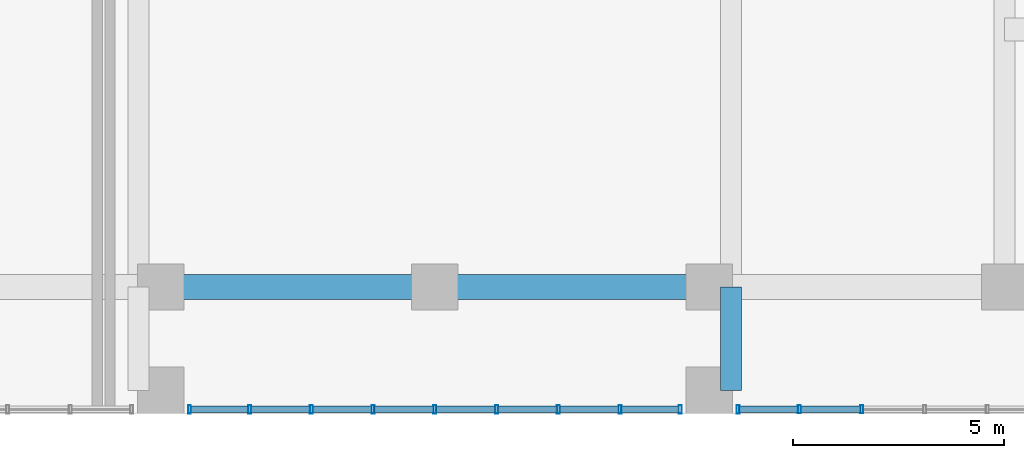
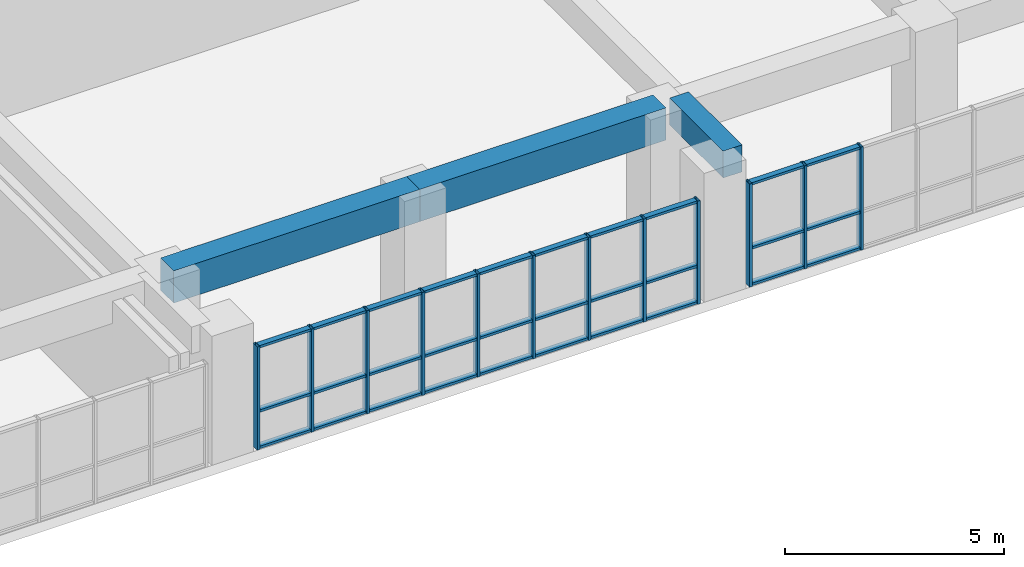
# One storey, part 6 of 30: 42 members, 3 beams, 2 elements without a shape of their own.
"""IFC4 building model written with IfcOpenShell, lengths in metres."""

import ifcopenshell
import ifcopenshell.guid

model = None  # the IFC model being written
_history = None  # IfcOwnerHistory: only IFC2X3 demands one
_inside = {}  # id of a spatial element -> (the spatial element, [elements in it])
_under = {}  # id of a project, library or spatial element -> (it, [spatial elements below it])
_declared = {}  # id of a project -> (the project, [libraries it declares])
_typed = {}  # id of a type object -> (the type object, [elements of that type])
_made_of = {}  # id of a material, layer set ... -> (it, [elements and type objects made of it])


def new_model(schema):
    """Start an empty IFC model of exactly this schema.

    Asked for "IFC4X3", IfcOpenShell would pick the latest addendum, in which some entities
    have other attributes; the version numbers below select the first issue.
    IFC2X3 requires an IfcOwnerHistory on every rooted entity: one is made here for all.
    """
    global model, _history
    if schema == "IFC4X3":
        model = ifcopenshell.file(schema_version=(4, 3, 0, 0))
    else:
        model = ifcopenshell.file(schema=schema)
    _inside.clear()
    _under.clear()
    _declared.clear()
    _typed.clear()
    _made_of.clear()
    _history = None
    if model.schema == "IFC2X3":
        org = make("IfcOrganization", Name="unknown")
        user = make(
            "IfcPersonAndOrganization",
            ThePerson=make("IfcPerson", FamilyName="unknown"),
            TheOrganization=org,
        )
        app = make(
            "IfcApplication",
            ApplicationDeveloper=org,
            Version="unknown",
            ApplicationFullName="unknown",
            ApplicationIdentifier="unknown",
        )
        _history = make(
            "IfcOwnerHistory",
            OwningUser=user,
            OwningApplication=app,
            ChangeAction="ADDED",
            CreationDate=0,
        )
    return model


def make(cls, **values):
    """One entity of the class cls with the attributes given. An attribute that is None is left unset."""
    return model.create_entity(
        cls, **{name: value for name, value in values.items() if value is not None}
    )


def rooted(cls, **values):
    """An entity with a GlobalId (a new one), such as an element, a storey or a relation."""
    return make(cls, GlobalId=ifcopenshell.guid.new(), OwnerHistory=_history, **values)


def si_unit(unit_type, name, prefix=None):
    """IfcSIUnit, for example si_unit("LENGTHUNIT", "METRE", prefix="MILLI")."""
    return make("IfcSIUnit", UnitType=unit_type, Prefix=prefix, Name=name)


def assignment(units):
    """IfcUnitAssignment: the units of a project."""
    return None if units is None else make("IfcUnitAssignment", Units=units)


def point(xyz):
    """IfcCartesianPoint."""
    return None if xyz is None else make("IfcCartesianPoint", Coordinates=xyz)


def direction(xyz):
    """IfcDirection."""
    return None if xyz is None else make("IfcDirection", DirectionRatios=xyz)


def frame(location, z_axis=None, x_axis=None):
    """IfcAxis2Placement3D, a coordinate frame: its origin and axes. An axis left out is left unset."""
    return make(
        "IfcAxis2Placement3D",
        Location=point(location),
        Axis=direction(z_axis),
        RefDirection=direction(x_axis),
    )


def frame_2d(location, x_axis=None):
    """IfcAxis2Placement2D, a coordinate frame in the plane: its origin and x axis."""
    return make(
        "IfcAxis2Placement2D", Location=point(location), RefDirection=direction(x_axis)
    )


def origin():
    """The frame at (0, 0, 0) with its axes left unset."""
    return frame((0.0, 0.0, 0.0))


def origin_2d():
    """The frame at (0, 0) in the plane with its x axis left unset."""
    return frame_2d((0.0, 0.0))


def place(relative_to, where):
    """IfcLocalPlacement: puts the frame where relative to a parent placement (None: the world)."""
    return make(
        "IfcLocalPlacement", PlacementRelTo=relative_to, RelativePlacement=where
    )


def context(
    kind, dimensions, precision=None, world=None, true_north=None, identifier=None
):
    """IfcGeometricRepresentationContext, for example the 3D "Model" context."""
    return make(
        "IfcGeometricRepresentationContext",
        ContextIdentifier=identifier,
        ContextType=kind,
        CoordinateSpaceDimension=dimensions,
        Precision=precision,
        WorldCoordinateSystem=world,
        TrueNorth=true_north,
    )


def subcontext(parent, identifier, kind, view, scale=None):
    """IfcGeometricRepresentationSubContext, for example "Body" below "Model"."""
    return make(
        "IfcGeometricRepresentationSubContext",
        ContextIdentifier=identifier,
        ContextType=kind,
        ParentContext=parent,
        TargetScale=scale,
        TargetView=view,
    )


def project(units=None, contexts=None):
    """IfcProject with its units and contexts."""
    return rooted(
        "IfcProject",
        Name="project",
        RepresentationContexts=contexts,
        UnitsInContext=assignment(units),
    )


def spatial(cls, under=None, at=None, **own):
    """A site, building, storey or space (cls), placed at a placement, below another one or the project."""
    s = rooted(cls, ObjectPlacement=at, **own)
    if under is not None:
        _under.setdefault(under.id(), (under, []))[1].append(s)
    return s


def profile(cls, at=None, kind="AREA", **sizes):
    """A parametric profile (cls). Its sizes go by their IFC names, for example OverallWidth=200.0."""
    return make(cls, ProfileType=kind, Position=at, **sizes)


def rectangle(**sizes):
    """IfcRectangleProfileDef."""
    return profile("IfcRectangleProfileDef", **sizes)


def hollow_rectangle(**sizes):
    """IfcRectangleHollowProfileDef."""
    return profile("IfcRectangleHollowProfileDef", **sizes)


def extrude(swept, where, along, depth):
    """IfcExtrudedAreaSolid: the profile swept, set in the frame where, extruded along a direction by depth."""
    return make(
        "IfcExtrudedAreaSolid",
        SweptArea=swept,
        Position=where,
        ExtrudedDirection=direction(along),
        Depth=depth,
    )


def shape(context_of_items, identifier, shape_type, items):
    """IfcShapeRepresentation: the items that make up one representation, for example the "Body"."""
    return make(
        "IfcShapeRepresentation",
        ContextOfItems=context_of_items,
        RepresentationIdentifier=identifier,
        RepresentationType=shape_type,
        Items=items,
    )


def source(mapping_origin, context_of_items, identifier, shape_type, items):
    """IfcRepresentationMap: a shape defined once, which mapped items show again and again."""
    return make(
        "IfcRepresentationMap",
        MappingOrigin=mapping_origin,
        MappedRepresentation=shape(context_of_items, identifier, shape_type, items),
    )


def transform(
    local_origin,
    x_axis=None,
    y_axis=None,
    z_axis=None,
    scale=None,
    scale2=None,
    scale3=None,
    uniform=True,
):
    """IfcCartesianTransformationOperator3D, or its non-uniform kind. x_axis, y_axis, z_axis: its Axis1, 2, 3."""
    if uniform:
        return make(
            "IfcCartesianTransformationOperator3D",
            Axis1=direction(x_axis),
            Axis2=direction(y_axis),
            LocalOrigin=point(local_origin),
            Scale=scale,
            Axis3=direction(z_axis),
        )
    return make(
        "IfcCartesianTransformationOperator3DnonUniform",
        Axis1=direction(x_axis),
        Axis2=direction(y_axis),
        LocalOrigin=point(local_origin),
        Scale=scale,
        Axis3=direction(z_axis),
        Scale2=scale2,
        Scale3=scale3,
    )


def mapped(mapping_source, mapping_target):
    """IfcMappedItem: shows the shape of a source again, moved by a transform."""
    return make(
        "IfcMappedItem", MappingSource=mapping_source, MappingTarget=mapping_target
    )


def material(Name=None, Category=None):
    """IfcMaterial."""
    return make("IfcMaterial", Name=Name, Category=Category)


def layer(
    of_material, thickness, ventilated=None, Name=None, Category=None, Priority=None
):
    """IfcMaterialLayer: one layer of a wall or slab, of a material (None: an air gap)."""
    return make(
        "IfcMaterialLayer",
        Material=of_material,
        LayerThickness=thickness,
        IsVentilated=ventilated,
        Name=Name,
        Category=Category,
        Priority=Priority,
    )


def layer_set(layers, Name=None):
    """IfcMaterialLayerSet."""
    return make("IfcMaterialLayerSet", MaterialLayers=layers, LayerSetName=Name)


def material_profile(
    of_material, cross_section, Name=None, Category=None, Priority=None
):
    """IfcMaterialProfile: a cross section and its material."""
    return make(
        "IfcMaterialProfile",
        Name=Name,
        Material=of_material,
        Profile=cross_section,
        Priority=Priority,
        Category=Category,
    )


def profile_set(profiles, Name=None, composite=None):
    """IfcMaterialProfileSet."""
    return make(
        "IfcMaterialProfileSet",
        Name=Name,
        MaterialProfiles=profiles,
        CompositeProfile=composite,
    )


def made_of(thing, what):
    """Note that an element or type object is made of a material, layer set ...; save() writes the relation."""
    if what is not None:
        _made_of.setdefault(what.id(), (what, []))[1].append(thing)
    return thing


def type_object(cls, material=None, **own):
    """A type object (cls), such as IfcWallType, which elements share."""
    return made_of(rooted(cls, **own), material)


def element(
    cls,
    number,
    at=None,
    inside=None,
    cuts=None,
    type_object=None,
    material=None,
    context=None,
    identifier="Body",
    shape_type=None,
    held_by="IfcProductDefinitionShape",
    body=None,
    shapes=None,
    **own,
):
    """One element of the class cls, such as IfcWall. Its Tag is "e" and its number.

    at: its placement. inside: the storey or other place that contains it. cuts: it is an
    opening in that element (IfcRelVoidsElement). A single representation is given by context,
    identifier, shape_type and body (its items); several are given by shapes. held_by: the class
    of the entity that holds the representations. save() writes the other relations.
    """
    e = rooted(cls, Tag="e%d" % number, ObjectPlacement=at, **own)
    if body is not None:
        shapes = [shape(context, identifier, shape_type, body)]
    if shapes is not None:
        e.Representation = make(held_by, Representations=shapes)
    if inside is not None:
        _inside.setdefault(inside.id(), (inside, []))[1].append(e)
    if cuts is not None:
        rooted(
            "IfcRelVoidsElement", RelatingBuildingElement=cuts, RelatedOpeningElement=e
        )
    if type_object is not None:
        _typed.setdefault(type_object.id(), (type_object, []))[1].append(e)
    return made_of(e, material)


def aggregate(whole, parts):
    """IfcRelAggregates: a whole, such as a stair, and the parts it consists of."""
    return rooted("IfcRelAggregates", RelatingObject=whole, RelatedObjects=parts)


def save(model, path):
    """Write the relations noted so far, then the file.

    IfcRelAggregates (storeys below a building ...), IfcRelContainedInSpatialStructure (elements
    in a storey), IfcRelDefinesByType, IfcRelAssociatesMaterial and IfcRelDeclares: one each for
    every whole, place, type object, material and project.
    """
    for whole, parts in _under.values():
        aggregate(whole, parts)
    for where, things in _inside.values():
        rooted(
            "IfcRelContainedInSpatialStructure",
            RelatedElements=things,
            RelatingStructure=where,
        )
    for kind, things in _typed.values():
        rooted("IfcRelDefinesByType", RelatedObjects=things, RelatingType=kind)
    for what, things in _made_of.values():
        rooted("IfcRelAssociatesMaterial", RelatedObjects=things, RelatingMaterial=what)
    for by, libraries in _declared.values():
        rooted("IfcRelDeclares", RelatingContext=by, RelatedDefinitions=libraries)
    model.write(path)


model = new_model("IFC4")

# Units and contexts
model_context = context("Model", 3, precision=1e-05, world=origin(), true_north=direction((0.0, 1.0)))
body_context = subcontext(model_context, "Body", "Model", "MODEL_VIEW")
ifc_project = project(units=[si_unit("LENGTHUNIT", "METRE"), si_unit("AREAUNIT", "SQUARE_METRE"), si_unit("VOLUMEUNIT", "CUBIC_METRE"), si_unit("PLANEANGLEUNIT", "RADIAN"), si_unit("MASSUNIT", "GRAM", prefix="KILO")], contexts=[model_context])

# Site, building, storey
site_placement = place(None, origin())
site = spatial("IfcSite", under=ifc_project, at=site_placement, CompositionType="ELEMENT")
building_placement = place(site_placement, origin())
building = spatial("IfcBuilding", under=site, at=building_placement, Name="Saelheon Loggia Tower", CompositionType="ELEMENT")
storey_placement = place(building_placement, frame((0.0, 0.0, 7.800048828125)))
storey = spatial("IfcBuildingStorey", under=building, at=storey_placement, Name="L02", CompositionType="ELEMENT", Elevation=7.800048828125)

# Beams
ifc_material_1 = material(Name="Concrete C50/60", Category="concrete")
ifc_material_profile_1 = material_profile(ifc_material_1, rectangle(XDim=0.60009765625, YDim=0.89990234375, at=origin_2d()), Name="RC-600x900")
ifc_profile_set_1 = profile_set([ifc_material_profile_1], Name="Concrete C50/60")
beam_type_1 = type_object("IfcBeamType", Name="Beam_MainGirder_RC600x900", PredefinedType="BEAM", material=ifc_profile_set_1)
shared_shape_1 = source(origin(), body_context, "Body", "SweptSolid", [
    extrude(rectangle(XDim=0.60009765625, YDim=0.89990234375, at=origin_2d()), origin(), (0.0, 0.0, 1.0), 6.5),
])
for number, where, z_axis, x_axis, name in (
    (1, (31.5, 3.0, 3.14990234375), (1.0, 0.0, 0.0), (0.0, 1.0, 0.0), "BM-L02-EW-3-4"),
    (2, (38.0, 3.0, 3.14990234375), (1.0, 0.0, 0.0), (0.0, 1.0, 0.0), "BM-L02-EW-3-5"),
):
    element("IfcBeam", number, at=place(storey_placement, frame(where, z_axis=z_axis, x_axis=x_axis)), inside=storey, type_object=beam_type_1, Name=name, PredefinedType="BEAM", context=body_context, shape_type="MappedRepresentation", body=[
        mapped(shared_shape_1, transform((0.0, 0.0, 0.0), scale=1.0)),
    ])
ifc_material_2 = material(Name="Concrete C45/55", Category="concrete")
ifc_material_profile_2 = material_profile(ifc_material_2, rectangle(XDim=0.5, YDim=0.75, at=origin_2d()), Name="RC-500x750")
ifc_profile_set_2 = profile_set([ifc_material_profile_2], Name="Concrete C45/55")
beam_type_2 = type_object("IfcBeamType", Name="Beam_FloorGirder_RC500x750", PredefinedType="BEAM", material=ifc_profile_set_2)
shared_shape_2 = source(origin(), body_context, "Body", "SweptSolid", [
    extrude(rectangle(XDim=0.5, YDim=0.75, at=origin_2d()), origin(), (0.0, 0.0, 1.0), 2.449951171875),
])
beam_placement = place(storey_placement, frame((45.02001953125, 0.550048828125, 3.224853515625), z_axis=(0.0, 1.0, 0.0), x_axis=(-1.0, 0.0, 0.0)))
element("IfcBeam", 3, at=beam_placement, inside=storey, type_object=beam_type_2, Name="BM-L02-NS-45-1", PredefinedType="BEAM", context=body_context, shape_type="MappedRepresentation", body=[
    mapped(shared_shape_2, transform((0.0, 0.0, 0.0), scale=1.0)),
])

# Curtain wall, members
ifc_material_3 = material(Name="Aluminium 6063-T6 and Low-E IGU", Category="aluminium")
ifc_layer = layer(ifc_material_3, 0.179931640625)
ifc_layer_set = layer_set([ifc_layer], Name="Aluminium 6063-T6 and Low-E IGU")
curtain_wall_type = type_object("IfcCurtainWallType", Name="CW_PodiumClinic", PredefinedType="NOTDEFINED", material=ifc_layer_set)
curtain_wall_1_placement = place(storey_placement, origin())
curtain_wall_1 = element("IfcCurtainWall", 4, at=curtain_wall_1_placement, inside=storey, type_object=curtain_wall_type, Name="L02 South Clinic Curtain Wall 3", PredefinedType="NOTDEFINED")
ifc_material_4 = material(Name="Anodised Aluminium 6063-T6", Category="aluminium")
ifc_material_profile_3 = material_profile(ifc_material_4, hollow_rectangle(XDim=0.070068359375, YDim=0.14990234375, WallThickness=0.0048828125, at=origin_2d()), Name="RHS-150x70x5")
ifc_profile_set_3 = profile_set([ifc_material_profile_3], Name="Anodised Aluminium 6063-T6")
member_type_1 = type_object("IfcMemberType", Name="CW_PodiumClinic_Transom", PredefinedType="USERDEFINED", material=ifc_profile_set_3)
shared_shape_3 = source(origin(), body_context, "Body", "SweptSolid", [
    extrude(hollow_rectangle(XDim=0.070068359375, YDim=0.14990234375, WallThickness=0.0048828125, at=origin_2d()), origin(), (0.0, 0.0, 1.0), 1.4150390625),
])
member_1_placement = place(storey_placement, frame((46.669921875, 0.10009765625, 0.034912109375), z_axis=(1.0, 0.0, 0.0), x_axis=(0.0, 0.0, 1.0)))
member_1 = element("IfcMember", 5, at=member_1_placement, type_object=member_type_1, Name="CW1 transom 2.1", ObjectType="TRANSOM", PredefinedType="USERDEFINED", context=body_context, shape_type="MappedRepresentation", body=[
    mapped(shared_shape_3, transform((0.0, 0.0, 0.0), scale=1.0)),
])
member_2_placement = place(storey_placement, frame((46.669921875, 0.10009765625, 1.050048828125), z_axis=(1.0, 0.0, 0.0), x_axis=(0.0, 0.0, 1.0)))
member_2 = element("IfcMember", 6, at=member_2_placement, type_object=member_type_1, Name="CW1 transom 2.2", ObjectType="TRANSOM", PredefinedType="USERDEFINED", context=body_context, shape_type="MappedRepresentation", body=[
    mapped(shared_shape_3, transform((0.0, 0.0, 0.0), scale=1.0)),
])
member_3_placement = place(storey_placement, frame((46.669921875, 0.10009765625, 2.844970703125), z_axis=(1.0, 0.0, 0.0), x_axis=(0.0, 0.0, 1.0)))
member_3 = element("IfcMember", 7, at=member_3_placement, type_object=member_type_1, Name="CW1 transom 2.3", ObjectType="TRANSOM", PredefinedType="USERDEFINED", context=body_context, shape_type="MappedRepresentation", body=[
    mapped(shared_shape_3, transform((0.0, 0.0, 0.0), scale=1.0)),
])
shared_shape_4 = source(origin(), body_context, "Body", "SweptSolid", [
    extrude(hollow_rectangle(XDim=0.070068359375, YDim=0.14990234375, WallThickness=0.0048828125, at=origin_2d()), origin(), (0.0, 0.0, 1.0), 1.380126953125),
])
member_4_placement = place(storey_placement, frame((45.219970703125, 0.10009765625, 0.034912109375), z_axis=(1.0, 0.0, 0.0), x_axis=(0.0, 0.0, 1.0)))
member_4 = element("IfcMember", 8, at=member_4_placement, type_object=member_type_1, Name="CW1 transom 1.1", ObjectType="TRANSOM", PredefinedType="USERDEFINED", context=body_context, shape_type="MappedRepresentation", body=[
    mapped(shared_shape_4, transform((0.0, 0.0, 0.0), scale=1.0)),
])
member_5_placement = place(storey_placement, frame((45.219970703125, 0.10009765625, 1.050048828125), z_axis=(1.0, 0.0, 0.0), x_axis=(0.0, 0.0, 1.0)))
member_5 = element("IfcMember", 9, at=member_5_placement, type_object=member_type_1, Name="CW1 transom 1.2", ObjectType="TRANSOM", PredefinedType="USERDEFINED", context=body_context, shape_type="MappedRepresentation", body=[
    mapped(shared_shape_4, transform((0.0, 0.0, 0.0), scale=1.0)),
])
member_6_placement = place(storey_placement, frame((45.219970703125, 0.10009765625, 2.844970703125), z_axis=(1.0, 0.0, 0.0), x_axis=(0.0, 0.0, 1.0)))
member_6 = element("IfcMember", 10, at=member_6_placement, type_object=member_type_1, Name="CW1 transom 1.3", ObjectType="TRANSOM", PredefinedType="USERDEFINED", context=body_context, shape_type="MappedRepresentation", body=[
    mapped(shared_shape_4, transform((0.0, 0.0, 0.0), scale=1.0)),
])

curtain_wall_2_placement = place(storey_placement, origin())
curtain_wall_2 = element("IfcCurtainWall", 11, at=curtain_wall_2_placement, inside=storey, type_object=curtain_wall_type, Name="L02 South Clinic Curtain Wall 2", PredefinedType="NOTDEFINED")
shared_shape_5 = source(origin(), body_context, "Body", "SweptSolid", [
    extrude(hollow_rectangle(XDim=0.070068359375, YDim=0.14990234375, WallThickness=0.0048828125, at=origin_2d()), origin(), (0.0, 0.0, 1.0), 1.357421875),
])
member_7_placement = place(storey_placement, frame((32.219970703125, 0.10009765625, 0.034912109375), z_axis=(1.0, 0.0, 0.0), x_axis=(0.0, 0.0, 1.0)))
member_7 = element("IfcMember", 12, at=member_7_placement, type_object=member_type_1, Name="CW1 transom 1.1", ObjectType="TRANSOM", PredefinedType="USERDEFINED", context=body_context, shape_type="MappedRepresentation", body=[
    mapped(shared_shape_5, transform((0.0, 0.0, 0.0), scale=1.0)),
])
member_8_placement = place(storey_placement, frame((32.219970703125, 0.10009765625, 1.050048828125), z_axis=(1.0, 0.0, 0.0), x_axis=(0.0, 0.0, 1.0)))
member_8 = element("IfcMember", 13, at=member_8_placement, type_object=member_type_1, Name="CW1 transom 1.2", ObjectType="TRANSOM", PredefinedType="USERDEFINED", context=body_context, shape_type="MappedRepresentation", body=[
    mapped(shared_shape_5, transform((0.0, 0.0, 0.0), scale=1.0)),
])
member_9_placement = place(storey_placement, frame((32.219970703125, 0.10009765625, 2.844970703125), z_axis=(1.0, 0.0, 0.0), x_axis=(0.0, 0.0, 1.0)))
member_9 = element("IfcMember", 14, at=member_9_placement, type_object=member_type_1, Name="CW1 transom 1.3", ObjectType="TRANSOM", PredefinedType="USERDEFINED", context=body_context, shape_type="MappedRepresentation", body=[
    mapped(shared_shape_5, transform((0.0, 0.0, 0.0), scale=1.0)),
])
member_10_placement = place(storey_placement, frame((42.422607421875, 0.10009765625, 0.034912109375), z_axis=(1.0, 0.0, 0.0), x_axis=(0.0, 0.0, 1.0)))
member_10 = element("IfcMember", 15, at=member_10_placement, type_object=member_type_1, Name="CW1 transom 8.1", ObjectType="TRANSOM", PredefinedType="USERDEFINED", context=body_context, shape_type="MappedRepresentation", body=[
    mapped(shared_shape_5, transform((0.0, 0.0, 0.0), scale=1.0)),
])
member_11_placement = place(storey_placement, frame((42.422607421875, 0.10009765625, 1.050048828125), z_axis=(1.0, 0.0, 0.0), x_axis=(0.0, 0.0, 1.0)))
member_11 = element("IfcMember", 16, at=member_11_placement, type_object=member_type_1, Name="CW1 transom 8.2", ObjectType="TRANSOM", PredefinedType="USERDEFINED", context=body_context, shape_type="MappedRepresentation", body=[
    mapped(shared_shape_5, transform((0.0, 0.0, 0.0), scale=1.0)),
])
member_12_placement = place(storey_placement, frame((42.422607421875, 0.10009765625, 2.844970703125), z_axis=(1.0, 0.0, 0.0), x_axis=(0.0, 0.0, 1.0)))
member_12 = element("IfcMember", 17, at=member_12_placement, type_object=member_type_1, Name="CW1 transom 8.3", ObjectType="TRANSOM", PredefinedType="USERDEFINED", context=body_context, shape_type="MappedRepresentation", body=[
    mapped(shared_shape_5, transform((0.0, 0.0, 0.0), scale=1.0)),
])
shared_shape_6 = source(origin(), body_context, "Body", "SweptSolid", [
    extrude(hollow_rectangle(XDim=0.070068359375, YDim=0.14990234375, WallThickness=0.0048828125, at=origin_2d()), origin(), (0.0, 0.0, 1.0), 1.392578125),
])
member_13_placement = place(storey_placement, frame((33.6474609375, 0.10009765625, 0.034912109375), z_axis=(1.0, 0.0, 0.0), x_axis=(0.0, 0.0, 1.0)))
member_13 = element("IfcMember", 18, at=member_13_placement, type_object=member_type_1, Name="CW1 transom 2.1", ObjectType="TRANSOM", PredefinedType="USERDEFINED", context=body_context, shape_type="MappedRepresentation", body=[
    mapped(shared_shape_6, transform((0.0, 0.0, 0.0), scale=1.0)),
])
member_14_placement = place(storey_placement, frame((33.6474609375, 0.10009765625, 1.050048828125), z_axis=(1.0, 0.0, 0.0), x_axis=(0.0, 0.0, 1.0)))
member_14 = element("IfcMember", 19, at=member_14_placement, type_object=member_type_1, Name="CW1 transom 2.2", ObjectType="TRANSOM", PredefinedType="USERDEFINED", context=body_context, shape_type="MappedRepresentation", body=[
    mapped(shared_shape_6, transform((0.0, 0.0, 0.0), scale=1.0)),
])
member_15_placement = place(storey_placement, frame((33.6474609375, 0.10009765625, 2.844970703125), z_axis=(1.0, 0.0, 0.0), x_axis=(0.0, 0.0, 1.0)))
member_15 = element("IfcMember", 20, at=member_15_placement, type_object=member_type_1, Name="CW1 transom 2.3", ObjectType="TRANSOM", PredefinedType="USERDEFINED", context=body_context, shape_type="MappedRepresentation", body=[
    mapped(shared_shape_6, transform((0.0, 0.0, 0.0), scale=1.0)),
])
member_16_placement = place(storey_placement, frame((36.572509765625, 0.10009765625, 0.034912109375), z_axis=(1.0, 0.0, 0.0), x_axis=(0.0, 0.0, 1.0)))
member_16 = element("IfcMember", 21, at=member_16_placement, type_object=member_type_1, Name="CW1 transom 4.1", ObjectType="TRANSOM", PredefinedType="USERDEFINED", context=body_context, shape_type="MappedRepresentation", body=[
    mapped(shared_shape_6, transform((0.0, 0.0, 0.0), scale=1.0)),
])
member_17_placement = place(storey_placement, frame((36.572509765625, 0.10009765625, 1.050048828125), z_axis=(1.0, 0.0, 0.0), x_axis=(0.0, 0.0, 1.0)))
member_17 = element("IfcMember", 22, at=member_17_placement, type_object=member_type_1, Name="CW1 transom 4.2", ObjectType="TRANSOM", PredefinedType="USERDEFINED", context=body_context, shape_type="MappedRepresentation", body=[
    mapped(shared_shape_6, transform((0.0, 0.0, 0.0), scale=1.0)),
])
member_18_placement = place(storey_placement, frame((36.572509765625, 0.10009765625, 2.844970703125), z_axis=(1.0, 0.0, 0.0), x_axis=(0.0, 0.0, 1.0)))
member_18 = element("IfcMember", 23, at=member_18_placement, type_object=member_type_1, Name="CW1 transom 4.3", ObjectType="TRANSOM", PredefinedType="USERDEFINED", context=body_context, shape_type="MappedRepresentation", body=[
    mapped(shared_shape_6, transform((0.0, 0.0, 0.0), scale=1.0)),
])
member_19_placement = place(storey_placement, frame((38.034912109375, 0.10009765625, 0.034912109375), z_axis=(1.0, 0.0, 0.0), x_axis=(0.0, 0.0, 1.0)))
member_19 = element("IfcMember", 24, at=member_19_placement, type_object=member_type_1, Name="CW1 transom 5.1", ObjectType="TRANSOM", PredefinedType="USERDEFINED", context=body_context, shape_type="MappedRepresentation", body=[
    mapped(shared_shape_6, transform((0.0, 0.0, 0.0), scale=1.0)),
])
member_20_placement = place(storey_placement, frame((38.034912109375, 0.10009765625, 1.050048828125), z_axis=(1.0, 0.0, 0.0), x_axis=(0.0, 0.0, 1.0)))
member_20 = element("IfcMember", 25, at=member_20_placement, type_object=member_type_1, Name="CW1 transom 5.2", ObjectType="TRANSOM", PredefinedType="USERDEFINED", context=body_context, shape_type="MappedRepresentation", body=[
    mapped(shared_shape_6, transform((0.0, 0.0, 0.0), scale=1.0)),
])
member_21_placement = place(storey_placement, frame((38.034912109375, 0.10009765625, 2.844970703125), z_axis=(1.0, 0.0, 0.0), x_axis=(0.0, 0.0, 1.0)))
member_21 = element("IfcMember", 26, at=member_21_placement, type_object=member_type_1, Name="CW1 transom 5.3", ObjectType="TRANSOM", PredefinedType="USERDEFINED", context=body_context, shape_type="MappedRepresentation", body=[
    mapped(shared_shape_6, transform((0.0, 0.0, 0.0), scale=1.0)),
])
member_22_placement = place(storey_placement, frame((40.9599609375, 0.10009765625, 0.034912109375), z_axis=(1.0, 0.0, 0.0), x_axis=(0.0, 0.0, 1.0)))
member_22 = element("IfcMember", 27, at=member_22_placement, type_object=member_type_1, Name="CW1 transom 7.1", ObjectType="TRANSOM", PredefinedType="USERDEFINED", context=body_context, shape_type="MappedRepresentation", body=[
    mapped(shared_shape_6, transform((0.0, 0.0, 0.0), scale=1.0)),
])
member_23_placement = place(storey_placement, frame((40.9599609375, 0.10009765625, 1.050048828125), z_axis=(1.0, 0.0, 0.0), x_axis=(0.0, 0.0, 1.0)))
member_23 = element("IfcMember", 28, at=member_23_placement, type_object=member_type_1, Name="CW1 transom 7.2", ObjectType="TRANSOM", PredefinedType="USERDEFINED", context=body_context, shape_type="MappedRepresentation", body=[
    mapped(shared_shape_6, transform((0.0, 0.0, 0.0), scale=1.0)),
])
member_24_placement = place(storey_placement, frame((40.9599609375, 0.10009765625, 2.844970703125), z_axis=(1.0, 0.0, 0.0), x_axis=(0.0, 0.0, 1.0)))
member_24 = element("IfcMember", 29, at=member_24_placement, type_object=member_type_1, Name="CW1 transom 7.3", ObjectType="TRANSOM", PredefinedType="USERDEFINED", context=body_context, shape_type="MappedRepresentation", body=[
    mapped(shared_shape_6, transform((0.0, 0.0, 0.0), scale=1.0)),
])
shared_shape_7 = source(origin(), body_context, "Body", "SweptSolid", [
    extrude(hollow_rectangle(XDim=0.070068359375, YDim=0.14990234375, WallThickness=0.0048828125, at=origin_2d()), origin(), (0.0, 0.0, 1.0), 1.392333984375),
])
member_25_placement = place(storey_placement, frame((35.110107421875, 0.10009765625, 0.034912109375), z_axis=(1.0, 0.0, 0.0), x_axis=(0.0, 0.0, 1.0)))
member_25 = element("IfcMember", 30, at=member_25_placement, type_object=member_type_1, Name="CW1 transom 3.1", ObjectType="TRANSOM", PredefinedType="USERDEFINED", context=body_context, shape_type="MappedRepresentation", body=[
    mapped(shared_shape_7, transform((0.0, 0.0, 0.0), scale=1.0)),
])
member_26_placement = place(storey_placement, frame((35.110107421875, 0.10009765625, 1.050048828125), z_axis=(1.0, 0.0, 0.0), x_axis=(0.0, 0.0, 1.0)))
member_26 = element("IfcMember", 31, at=member_26_placement, type_object=member_type_1, Name="CW1 transom 3.2", ObjectType="TRANSOM", PredefinedType="USERDEFINED", context=body_context, shape_type="MappedRepresentation", body=[
    mapped(shared_shape_7, transform((0.0, 0.0, 0.0), scale=1.0)),
])
member_27_placement = place(storey_placement, frame((35.110107421875, 0.10009765625, 2.844970703125), z_axis=(1.0, 0.0, 0.0), x_axis=(0.0, 0.0, 1.0)))
member_27 = element("IfcMember", 32, at=member_27_placement, type_object=member_type_1, Name="CW1 transom 3.3", ObjectType="TRANSOM", PredefinedType="USERDEFINED", context=body_context, shape_type="MappedRepresentation", body=[
    mapped(shared_shape_7, transform((0.0, 0.0, 0.0), scale=1.0)),
])
member_28_placement = place(storey_placement, frame((39.49755859375, 0.10009765625, 0.034912109375), z_axis=(1.0, 0.0, 0.0), x_axis=(0.0, 0.0, 1.0)))
member_28 = element("IfcMember", 33, at=member_28_placement, type_object=member_type_1, Name="CW1 transom 6.1", ObjectType="TRANSOM", PredefinedType="USERDEFINED", context=body_context, shape_type="MappedRepresentation", body=[
    mapped(shared_shape_7, transform((0.0, 0.0, 0.0), scale=1.0)),
])
member_29_placement = place(storey_placement, frame((39.49755859375, 0.10009765625, 1.050048828125), z_axis=(1.0, 0.0, 0.0), x_axis=(0.0, 0.0, 1.0)))
member_29 = element("IfcMember", 34, at=member_29_placement, type_object=member_type_1, Name="CW1 transom 6.2", ObjectType="TRANSOM", PredefinedType="USERDEFINED", context=body_context, shape_type="MappedRepresentation", body=[
    mapped(shared_shape_7, transform((0.0, 0.0, 0.0), scale=1.0)),
])
member_30_placement = place(storey_placement, frame((39.49755859375, 0.10009765625, 2.844970703125), z_axis=(1.0, 0.0, 0.0), x_axis=(0.0, 0.0, 1.0)))
member_30 = element("IfcMember", 35, at=member_30_placement, type_object=member_type_1, Name="CW1 transom 6.3", ObjectType="TRANSOM", PredefinedType="USERDEFINED", context=body_context, shape_type="MappedRepresentation", body=[
    mapped(shared_shape_7, transform((0.0, 0.0, 0.0), scale=1.0)),
])
ifc_material_profile_4 = material_profile(ifc_material_4, hollow_rectangle(XDim=0.070068359375, YDim=0.199951171875, WallThickness=0.0048828125, at=origin_2d()), Name="RHS-200x70x5")
ifc_profile_set_4 = profile_set([ifc_material_profile_4], Name="Anodised Aluminium 6063-T6")
member_type_2 = type_object("IfcMemberType", Name="CW_PodiumClinic_Mullion", PredefinedType="MULLION", material=ifc_profile_set_4)
shared_shape_8 = source(origin(), body_context, "Body", "SweptSolid", [
    extrude(hollow_rectangle(XDim=0.070068359375, YDim=0.199951171875, WallThickness=0.0048828125, at=origin_2d()), origin(), (0.0, 0.0, 1.0), 2.8798828125),
])
member_31_placement = place(storey_placement, frame((32.18505859375, 0.10009765625, 0.0), z_axis=(0.0, 0.0, 1.0), x_axis=(1.0, 0.0, 0.0)))
member_31 = element("IfcMember", 36, at=member_31_placement, type_object=member_type_2, Name="CW1 mullion 1", PredefinedType="MULLION", context=body_context, shape_type="MappedRepresentation", body=[
    mapped(shared_shape_8, transform((0.0, 0.0, 0.0), scale=1.0)),
])
member_32_placement = place(storey_placement, frame((33.612548828125, 0.10009765625, 0.0), z_axis=(0.0, 0.0, 1.0), x_axis=(1.0, 0.0, 0.0)))
member_32 = element("IfcMember", 37, at=member_32_placement, type_object=member_type_2, Name="CW1 mullion 2", PredefinedType="MULLION", context=body_context, shape_type="MappedRepresentation", body=[
    mapped(shared_shape_8, transform((0.0, 0.0, 0.0), scale=1.0)),
])
member_33_placement = place(storey_placement, frame((35.074951171875, 0.10009765625, 0.0), z_axis=(0.0, 0.0, 1.0), x_axis=(1.0, 0.0, 0.0)))
member_33 = element("IfcMember", 38, at=member_33_placement, type_object=member_type_2, Name="CW1 mullion 3", PredefinedType="MULLION", context=body_context, shape_type="MappedRepresentation", body=[
    mapped(shared_shape_8, transform((0.0, 0.0, 0.0), scale=1.0)),
])
member_34_placement = place(storey_placement, frame((36.53759765625, 0.10009765625, 0.0), z_axis=(0.0, 0.0, 1.0), x_axis=(1.0, 0.0, 0.0)))
member_34 = element("IfcMember", 39, at=member_34_placement, type_object=member_type_2, Name="CW1 mullion 4", PredefinedType="MULLION", context=body_context, shape_type="MappedRepresentation", body=[
    mapped(shared_shape_8, transform((0.0, 0.0, 0.0), scale=1.0)),
])
member_35_placement = place(storey_placement, frame((38.0, 0.10009765625, 0.0), z_axis=(0.0, 0.0, 1.0), x_axis=(1.0, 0.0, 0.0)))
member_35 = element("IfcMember", 40, at=member_35_placement, type_object=member_type_2, Name="CW1 mullion 5", PredefinedType="MULLION", context=body_context, shape_type="MappedRepresentation", body=[
    mapped(shared_shape_8, transform((0.0, 0.0, 0.0), scale=1.0)),
])
member_36_placement = place(storey_placement, frame((39.46240234375, 0.10009765625, 0.0), z_axis=(0.0, 0.0, 1.0), x_axis=(1.0, 0.0, 0.0)))
member_36 = element("IfcMember", 41, at=member_36_placement, type_object=member_type_2, Name="CW1 mullion 6", PredefinedType="MULLION", context=body_context, shape_type="MappedRepresentation", body=[
    mapped(shared_shape_8, transform((0.0, 0.0, 0.0), scale=1.0)),
])
member_37_placement = place(storey_placement, frame((40.925048828125, 0.10009765625, 0.0), z_axis=(0.0, 0.0, 1.0), x_axis=(1.0, 0.0, 0.0)))
member_37 = element("IfcMember", 42, at=member_37_placement, type_object=member_type_2, Name="CW1 mullion 7", PredefinedType="MULLION", context=body_context, shape_type="MappedRepresentation", body=[
    mapped(shared_shape_8, transform((0.0, 0.0, 0.0), scale=1.0)),
])
member_38_placement = place(storey_placement, frame((42.387451171875, 0.10009765625, 0.0), z_axis=(0.0, 0.0, 1.0), x_axis=(1.0, 0.0, 0.0)))
member_38 = element("IfcMember", 43, at=member_38_placement, type_object=member_type_2, Name="CW1 mullion 8", PredefinedType="MULLION", context=body_context, shape_type="MappedRepresentation", body=[
    mapped(shared_shape_8, transform((0.0, 0.0, 0.0), scale=1.0)),
])
member_39_placement = place(storey_placement, frame((43.81494140625, 0.10009765625, 0.0), z_axis=(0.0, 0.0, 1.0), x_axis=(1.0, 0.0, 0.0)))
member_39 = element("IfcMember", 44, at=member_39_placement, type_object=member_type_2, Name="CW1 mullion 9", PredefinedType="MULLION", context=body_context, shape_type="MappedRepresentation", body=[
    mapped(shared_shape_8, transform((0.0, 0.0, 0.0), scale=1.0)),
])
aggregate(curtain_wall_2, [member_31, member_32, member_33, member_34, member_35, member_36, member_37, member_38, member_39, member_7, member_8, member_9, member_13, member_14, member_15, member_25, member_26, member_27, member_16, member_17, member_18, member_19, member_20, member_21, member_28, member_29, member_30, member_22, member_23, member_24, member_10, member_11, member_12])

# Member
member_40_placement = place(storey_placement, frame((45.18505859375, 0.10009765625, 0.0), z_axis=(0.0, 0.0, 1.0), x_axis=(1.0, 0.0, 0.0)))
member_40 = element("IfcMember", 45, at=member_40_placement, type_object=member_type_2, Name="CW1 mullion 1", PredefinedType="MULLION", context=body_context, shape_type="MappedRepresentation", body=[
    mapped(shared_shape_8, transform((0.0, 0.0, 0.0), scale=1.0)),
])

member_41_placement = place(storey_placement, frame((46.635009765625, 0.10009765625, 0.0), z_axis=(0.0, 0.0, 1.0), x_axis=(1.0, 0.0, 0.0)))
member_41 = element("IfcMember", 46, at=member_41_placement, type_object=member_type_2, Name="CW1 mullion 2", PredefinedType="MULLION", context=body_context, shape_type="MappedRepresentation", body=[
    mapped(shared_shape_8, transform((0.0, 0.0, 0.0), scale=1.0)),
])

member_42_placement = place(storey_placement, frame((48.1201171875, 0.10009765625, 0.0), z_axis=(0.0, 0.0, 1.0), x_axis=(1.0, 0.0, 0.0)))
member_42 = element("IfcMember", 47, at=member_42_placement, type_object=member_type_2, Name="CW1 mullion 3", PredefinedType="MULLION", context=body_context, shape_type="MappedRepresentation", body=[
    mapped(shared_shape_8, transform((0.0, 0.0, 0.0), scale=1.0)),
])

aggregate(curtain_wall_1, [member_40, member_41, member_42, member_4, member_5, member_6, member_1, member_2, member_3])

save(model, "model.ifc")
